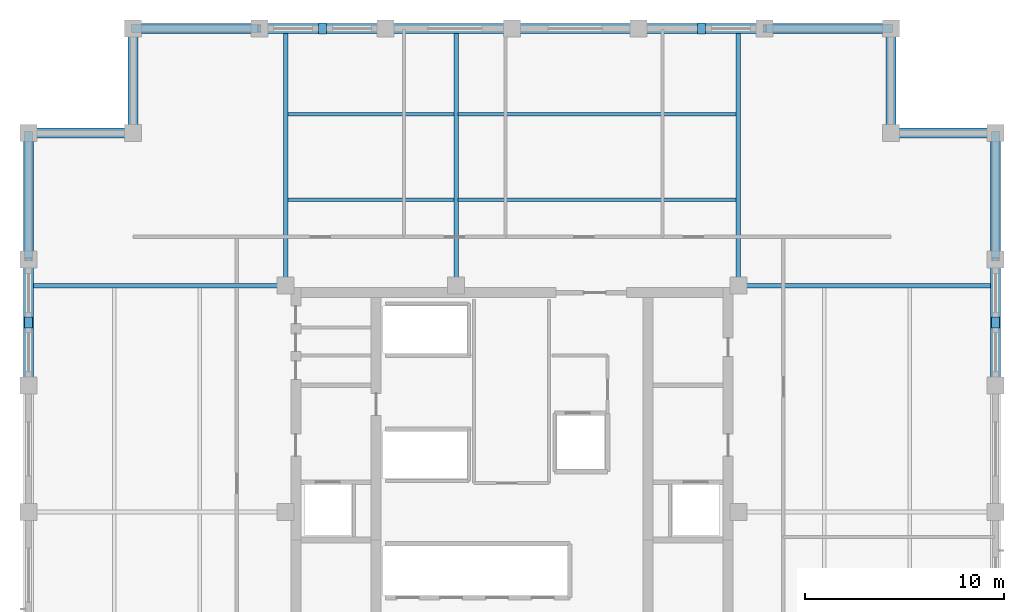
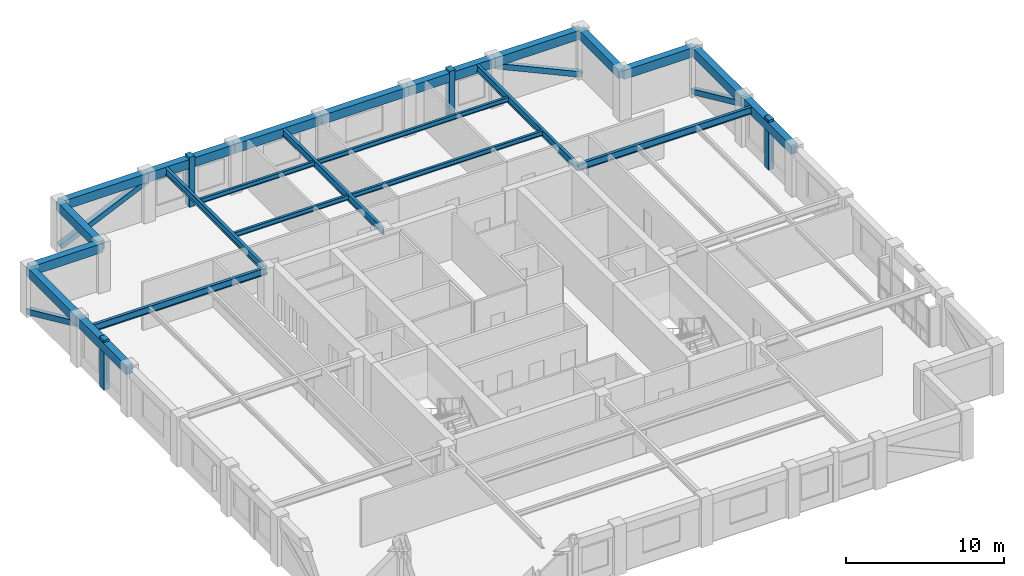
# One storey, part 3 of 11: 23 beams, 8 members.
"""IFC4 building model written with IfcOpenShell, lengths in metres."""

from ifc_helpers import new_model, si_unit, direction, frame, origin, origin_2d, place, context, subcontext, project, spatial, rectangle, hollow_rectangle, i_section, extrude, material, material_profile, profile_set, type_object, element, save


model = new_model("IFC4")

# Units and contexts
model_context = context("Model", 3, precision=1e-05, world=origin(), true_north=direction((0.0, 1.0)))
body_context = subcontext(model_context, "Body", "Model", "MODEL_VIEW")
ifc_project = project(units=[si_unit("LENGTHUNIT", "METRE"), si_unit("AREAUNIT", "SQUARE_METRE"), si_unit("VOLUMEUNIT", "CUBIC_METRE"), si_unit("PLANEANGLEUNIT", "RADIAN"), si_unit("MASSUNIT", "GRAM", prefix="KILO")], contexts=[model_context])

# Site, building, storey
site_placement = place(None, origin())
site = spatial("IfcSite", under=ifc_project, at=site_placement, CompositionType="ELEMENT")
building_placement = place(site_placement, origin())
building = spatial("IfcBuilding", under=site, at=building_placement, Name="Nhamokura Convention Tower", CompositionType="ELEMENT")
storey_placement = place(building_placement, frame((0.0, 0.0, 244.64990234375)))
storey = spatial("IfcBuildingStorey", under=building, at=storey_placement, Name="L60", CompositionType="ELEMENT", Elevation=244.64990234375)

# Members
ifc_material_1 = material(Name="Bronze-pigmented precast concrete C45/55", Category="concrete")
ifc_material_profile_1 = material_profile(ifc_material_1, rectangle(XDim=0.39990234375, YDim=0.550048828125, at=origin_2d()))
ifc_profile_set_1 = profile_set([ifc_material_profile_1], Name="Bronze-pigmented precast concrete C45/55")
member_type_1 = type_object("IfcMemberType", Name="BronzePilaster_550", PredefinedType="USERDEFINED", material=ifc_profile_set_1)
for number, where, z_axis, x_axis, name in (
    (1, (22.5, 56.25, 0.0), (0.0, 0.0, 1.0), (1.0, 0.0, 0.0), "L60 Engaged Frame Pilaster NORTH 1"),
    (2, (41.5, 56.25, 0.0), (0.0, 0.0, 1.0), (1.0, 0.0, 0.0), "L60 Engaged Frame Pilaster NORTH 4"),
    (3, (7.75, 41.5, 0.0), (0.0, 0.0, 1.0), (1.0, 0.0, 0.0), "L60 Engaged Frame Pilaster WEST 4"),
    (4, (56.25, 41.5, 0.0), (0.0, 0.0, 1.0), (1.0, 0.0, 0.0), "L60 Engaged Frame Pilaster EAST 4"),
):
    element("IfcMember", number, at=place(storey_placement, frame(where, z_axis=z_axis, x_axis=x_axis)), inside=storey, type_object=member_type_1, Name=name, ObjectType="PILASTER_TRIM", PredefinedType="USERDEFINED", context=body_context, shape_type="SweptSolid", body=[
        extrude(rectangle(XDim=0.39990234375, YDim=0.550048828125, at=origin_2d()), origin(), (0.0, 0.0, 1.0), 3.85009765625),
    ])

# Beams
ifc_material_2 = material(Name="Steel ASTM A992 Gr 50", Category="steel")
ifc_material_profile_2 = material_profile(ifc_material_2, i_section(OverallWidth=0.172119140625, OverallDepth=0.35791015625, WebThickness=0.0078125, FlangeThickness=0.01318359375, at=origin_2d()))
ifc_profile_set_2 = profile_set([ifc_material_profile_2], Name="Steel ASTM A992 Gr 50")
beam_type_1 = type_object("IfcBeamType", Name="FloorJoist_W360X57", PredefinedType="JOIST", material=ifc_profile_set_2)
beam_1_placement = place(storey_placement, frame((20.75341796875, 47.64990234375, 3.506103515625), z_axis=(1.0, 0.0, 0.0), x_axis=(0.0, 1.0, 0.0)))
element("IfcBeam", 5, at=beam_1_placement, inside=storey, type_object=beam_type_1, Name="L60 Composite Floor Joist N1A", PredefinedType="JOIST", context=body_context, shape_type="SweptSolid", body=[
    extrude(i_section(OverallWidth=0.172119140625, OverallDepth=0.35791015625, WebThickness=0.0078125, FlangeThickness=0.01318359375, at=origin_2d()), origin(), (0.0, 0.0, 1.0), 8.343017578125),
])
beam_2_placement = place(storey_placement, frame((29.303466796875, 47.64990234375, 3.506103515625), z_axis=(1.0, 0.0, 0.0), x_axis=(0.0, 1.0, 0.0)))
element("IfcBeam", 6, at=beam_2_placement, inside=storey, type_object=beam_type_1, Name="L60 Composite Floor Joist N1B", PredefinedType="JOIST", context=body_context, shape_type="SweptSolid", body=[
    extrude(i_section(OverallWidth=0.172119140625, OverallDepth=0.35791015625, WebThickness=0.0078125, FlangeThickness=0.01318359375, at=origin_2d()), origin(), (0.0, 0.0, 1.0), 13.943115234375),
])
beam_3_placement = place(storey_placement, frame((20.75341796875, 51.949951171875, 3.506103515625), z_axis=(1.0, 0.0, 0.0), x_axis=(0.0, 1.0, 0.0)))
element("IfcBeam", 7, at=beam_3_placement, inside=storey, type_object=beam_type_1, Name="L60 Composite Floor Joist N2A", PredefinedType="JOIST", context=body_context, shape_type="SweptSolid", body=[
    extrude(i_section(OverallWidth=0.172119140625, OverallDepth=0.35791015625, WebThickness=0.0078125, FlangeThickness=0.01318359375, at=origin_2d()), origin(), (0.0, 0.0, 1.0), 8.343017578125),
])
beam_4_placement = place(storey_placement, frame((29.303466796875, 51.949951171875, 3.506103515625), z_axis=(1.0, 0.0, 0.0), x_axis=(0.0, 1.0, 0.0)))
element("IfcBeam", 8, at=beam_4_placement, inside=storey, type_object=beam_type_1, Name="L60 Composite Floor Joist N2B", PredefinedType="JOIST", context=body_context, shape_type="SweptSolid", body=[
    extrude(i_section(OverallWidth=0.172119140625, OverallDepth=0.35791015625, WebThickness=0.0078125, FlangeThickness=0.01318359375, at=origin_2d()), origin(), (0.0, 0.0, 1.0), 13.943115234375),
])
ifc_material_3 = material(Name="Steel ASTM A992 Gr 50", Category="steel")
ifc_material_profile_3 = material_profile(ifc_material_3, i_section(OverallWidth=0.2109375, OverallDepth=0.5390625, WebThickness=0.01171875, FlangeThickness=0.018798828125, at=origin_2d()))
ifc_profile_set_3 = profile_set([ifc_material_profile_3], Name="Steel ASTM A992 Gr 50")
beam_type_2 = type_object("IfcBeamType", Name="PrimaryGirder_W530X109", PredefinedType="BEAM", material=ifc_profile_set_3)
for number, where, z_axis, x_axis, name in (
    (9, (20.64990234375, 43.35009765625, 3.41552734375), (0.0, 1.0, 0.0), (-1.0, 0.0, 0.0), "L60 Primary Floor Girder PG-N1"),
    (10, (29.199951171875, 43.35009765625, 3.41552734375), (0.0, 1.0, 0.0), (-1.0, 0.0, 0.0), "L60 Primary Floor Girder PG-N2"),
    (11, (43.35009765625, 43.35009765625, 3.41552734375), (0.0, 1.0, 0.0), (-1.0, 0.0, 0.0), "L60 Primary Floor Girder PG-N3"),
    (12, (7.75, 43.35009765625, 3.41552734375), (1.0, 0.0, 0.0), (0.0, 1.0, 0.0), "L60 Primary Floor Girder PG-W3"),
    (13, (43.35009765625, 43.35009765625, 3.41552734375), (1.0, 0.0, 0.0), (0.0, 1.0, 0.0), "L60 Primary Floor Girder PG-E3"),
):
    element("IfcBeam", number, at=place(storey_placement, frame(where, z_axis=z_axis, x_axis=x_axis)), inside=storey, type_object=beam_type_2, Name=name, PredefinedType="BEAM", context=body_context, shape_type="SweptSolid", body=[
        extrude(i_section(OverallWidth=0.2109375, OverallDepth=0.5390625, WebThickness=0.01171875, FlangeThickness=0.018798828125, at=origin_2d()), origin(), (0.0, 0.0, 1.0), 12.89990234375),
    ])

# Members
ifc_material_4 = material(Name="Steel ASTM A572 Gr 50", Category="steel")
ifc_material_profile_4 = material_profile(ifc_material_4, hollow_rectangle(XDim=0.39990234375, YDim=0.39990234375, WallThickness=0.02001953125, at=origin_2d()))
ifc_profile_set_4 = profile_set([ifc_material_profile_4], Name="Steel ASTM A572 Gr 50")
member_type_2 = type_object("IfcMemberType", Name="TubeBrace_HSS400", PredefinedType="BRACE", material=ifc_profile_set_4)
for number, where, z_axis, x_axis, name in (
    (14, (13.0, 56.25, 0.150146484375), (0.910027379678, 0.0, 0.41454814948), (0.0, 1.0, 0.0), "L60 Perimeter Tube Brace NORTH Bay 0"),
    (15, (51.0, 56.25, 0.150146484375), (-0.910027379678, 0.0, 0.41454814948), (0.0, -1.0, 0.0), "L60 Perimeter Tube Brace NORTH Bay 5"),
    (16, (7.75, 51.0, 0.150146484375), (0.0, -0.910027379678, 0.41454814948), (1.0, 0.0, 0.0), "L60 Perimeter Tube Brace WEST Bay 5"),
    (17, (56.25, 51.0, 0.150146484375), (0.0, -0.910027379678, 0.41454814948), (1.0, 0.0, 0.0), "L60 Perimeter Tube Brace EAST Bay 5"),
):
    element("IfcMember", number, at=place(storey_placement, frame(where, z_axis=z_axis, x_axis=x_axis)), inside=storey, type_object=member_type_2, Name=name, PredefinedType="BRACE", context=body_context, shape_type="SweptSolid", body=[
        extrude(hollow_rectangle(XDim=0.39990234375, YDim=0.39990234375, WallThickness=0.02001953125, at=origin_2d()), origin(), (0.0, 0.0, 1.0), 6.95947265625),
    ])

# Beams
ifc_material_5 = material(Name="Concrete C50/60", Category="concrete")
ifc_material_profile_5 = material_profile(ifc_material_5, rectangle(XDim=0.5, YDim=0.699951171875, at=origin_2d()))
ifc_profile_set_5 = profile_set([ifc_material_profile_5], Name="Concrete C50/60")
beam_type_3 = type_object("IfcBeamType", Name="TubeSpandrel_700", PredefinedType="SPANDREL", material=ifc_profile_set_5)
beam_5_placement = place(storey_placement, frame((13.0, 56.25, 3.335205078125), z_axis=(1.0, 0.0, 0.0), x_axis=(0.0, 1.0, 0.0)))
element("IfcBeam", 18, at=beam_5_placement, inside=storey, type_object=beam_type_3, Name="L60 Perimeter Spandrel NORTH 1", PredefinedType="SPANDREL", context=body_context, shape_type="SweptSolid", body=[
    extrude(rectangle(XDim=0.5, YDim=0.699951171875, at=origin_2d()), origin(), (0.0, 0.0, 1.0), 6.333251953125),
])
beam_6_placement = place(storey_placement, frame((19.333251953125, 56.25, 3.335205078125), z_axis=(1.0, 0.0, 0.0), x_axis=(0.0, 1.0, 0.0)))
element("IfcBeam", 19, at=beam_6_placement, inside=storey, type_object=beam_type_3, Name="L60 Perimeter Spandrel NORTH 2", PredefinedType="SPANDREL", context=body_context, shape_type="SweptSolid", body=[
    extrude(rectangle(XDim=0.5, YDim=0.699951171875, at=origin_2d()), origin(), (0.0, 0.0, 1.0), 6.33349609375),
])
for number, where, z_axis, x_axis, name in (
    (20, (25.666748046875, 56.25, 3.335205078125), (1.0, 0.0, 0.0), (0.0, 1.0, 0.0), "L60 Perimeter Spandrel NORTH 3"),
    (21, (32.0, 56.25, 3.335205078125), (1.0, 0.0, 0.0), (0.0, 1.0, 0.0), "L60 Perimeter Spandrel NORTH 4"),
):
    element("IfcBeam", number, at=place(storey_placement, frame(where, z_axis=z_axis, x_axis=x_axis)), inside=storey, type_object=beam_type_3, Name=name, PredefinedType="SPANDREL", context=body_context, shape_type="SweptSolid", body=[
        extrude(rectangle(XDim=0.5, YDim=0.699951171875, at=origin_2d()), origin(), (0.0, 0.0, 1.0), 6.333251953125),
    ])
beam_7_placement = place(storey_placement, frame((38.333251953125, 56.25, 3.335205078125), z_axis=(1.0, 0.0, 0.0), x_axis=(0.0, 1.0, 0.0)))
element("IfcBeam", 22, at=beam_7_placement, inside=storey, type_object=beam_type_3, Name="L60 Perimeter Spandrel NORTH 5", PredefinedType="SPANDREL", context=body_context, shape_type="SweptSolid", body=[
    extrude(rectangle(XDim=0.5, YDim=0.699951171875, at=origin_2d()), origin(), (0.0, 0.0, 1.0), 6.33349609375),
])
beam_8_placement = place(storey_placement, frame((44.666748046875, 56.25, 3.335205078125), z_axis=(1.0, 0.0, 0.0), x_axis=(0.0, 1.0, 0.0)))
element("IfcBeam", 23, at=beam_8_placement, inside=storey, type_object=beam_type_3, Name="L60 Perimeter Spandrel NORTH 6", PredefinedType="SPANDREL", context=body_context, shape_type="SweptSolid", body=[
    extrude(rectangle(XDim=0.5, YDim=0.699951171875, at=origin_2d()), origin(), (0.0, 0.0, 1.0), 6.333251953125),
])
beam_9_placement = place(storey_placement, frame((7.75, 38.333251953125, 3.335205078125), z_axis=(0.0, 1.0, 0.0), x_axis=(-1.0, 0.0, 0.0)))
element("IfcBeam", 24, at=beam_9_placement, inside=storey, type_object=beam_type_3, Name="L60 Perimeter Spandrel WEST 5", PredefinedType="SPANDREL", context=body_context, shape_type="SweptSolid", body=[
    extrude(rectangle(XDim=0.5, YDim=0.699951171875, at=origin_2d()), origin(), (0.0, 0.0, 1.0), 6.33349609375),
])
beam_10_placement = place(storey_placement, frame((7.75, 44.666748046875, 3.335205078125), z_axis=(0.0, 1.0, 0.0), x_axis=(-1.0, 0.0, 0.0)))
element("IfcBeam", 25, at=beam_10_placement, inside=storey, type_object=beam_type_3, Name="L60 Perimeter Spandrel WEST 6", PredefinedType="SPANDREL", context=body_context, shape_type="SweptSolid", body=[
    extrude(rectangle(XDim=0.5, YDim=0.699951171875, at=origin_2d()), origin(), (0.0, 0.0, 1.0), 6.333251953125),
])
beam_11_placement = place(storey_placement, frame((56.25, 38.333251953125, 3.335205078125), z_axis=(0.0, 1.0, 0.0), x_axis=(-1.0, 0.0, 0.0)))
element("IfcBeam", 26, at=beam_11_placement, inside=storey, type_object=beam_type_3, Name="L60 Perimeter Spandrel EAST 5", PredefinedType="SPANDREL", context=body_context, shape_type="SweptSolid", body=[
    extrude(rectangle(XDim=0.5, YDim=0.699951171875, at=origin_2d()), origin(), (0.0, 0.0, 1.0), 6.33349609375),
])
beam_12_placement = place(storey_placement, frame((56.25, 44.666748046875, 3.335205078125), z_axis=(0.0, 1.0, 0.0), x_axis=(-1.0, 0.0, 0.0)))
element("IfcBeam", 27, at=beam_12_placement, inside=storey, type_object=beam_type_3, Name="L60 Perimeter Spandrel EAST 6", PredefinedType="SPANDREL", context=body_context, shape_type="SweptSolid", body=[
    extrude(rectangle(XDim=0.5, YDim=0.699951171875, at=origin_2d()), origin(), (0.0, 0.0, 1.0), 6.333251953125),
])
for number, where, z_axis, x_axis, name in (
    (28, (56.25, 51.0, 3.335205078125), (-1.0, 0.0, 0.0), (0.0, -1.0, 0.0), "L60 Notch Spandrel NE1"),
    (29, (51.0, 51.0, 3.335205078125), (0.0, 1.0, 0.0), (-1.0, 0.0, 0.0), "L60 Notch Spandrel NE2"),
    (30, (13.0, 56.25, 3.335205078125), (0.0, -1.0, 0.0), (1.0, 0.0, 0.0), "L60 Notch Spandrel NW1"),
    (31, (13.0, 51.0, 3.335205078125), (-1.0, 0.0, 0.0), (0.0, -1.0, 0.0), "L60 Notch Spandrel NW2"),
):
    element("IfcBeam", number, at=place(storey_placement, frame(where, z_axis=z_axis, x_axis=x_axis)), inside=storey, type_object=beam_type_3, Name=name, PredefinedType="SPANDREL", context=body_context, shape_type="SweptSolid", body=[
        extrude(rectangle(XDim=0.5, YDim=0.699951171875, at=origin_2d()), origin(), (0.0, 0.0, 1.0), 5.25),
    ])

save(model, "model.ifc")
